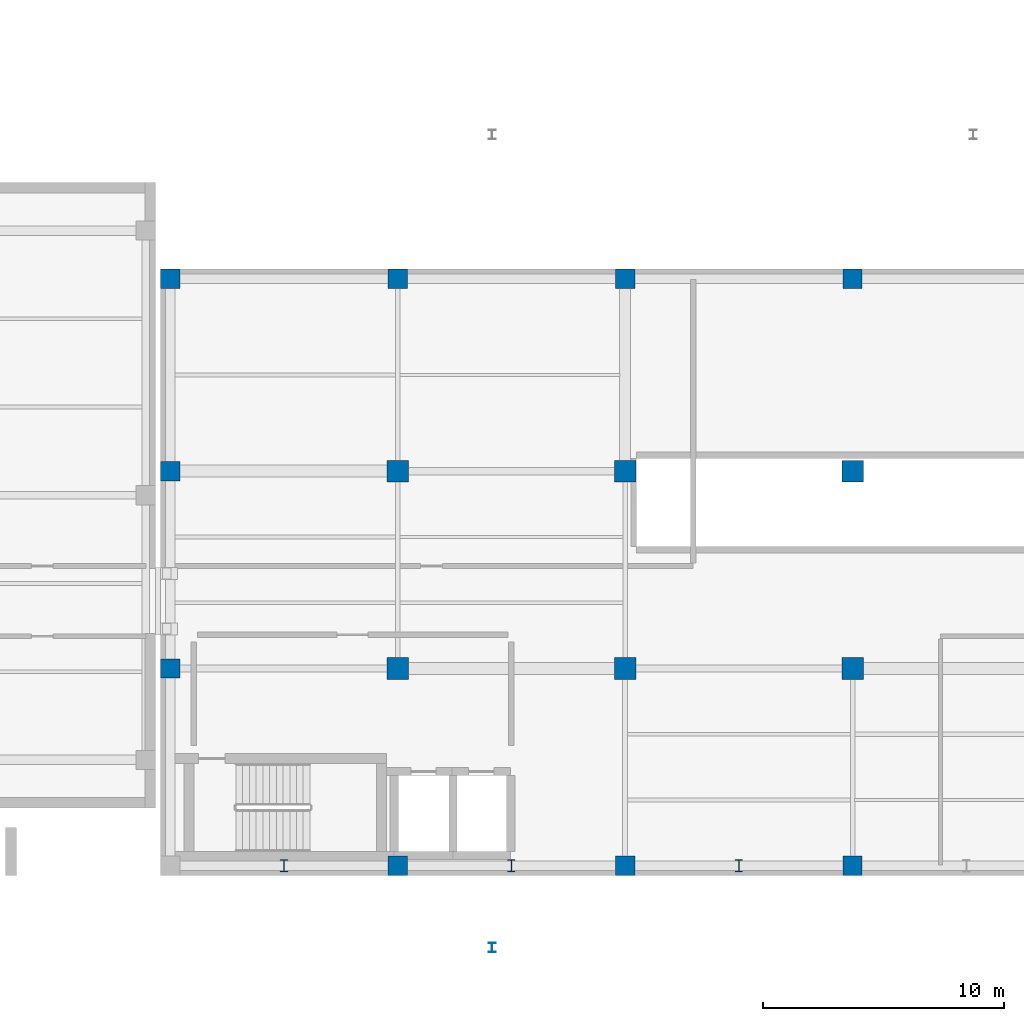
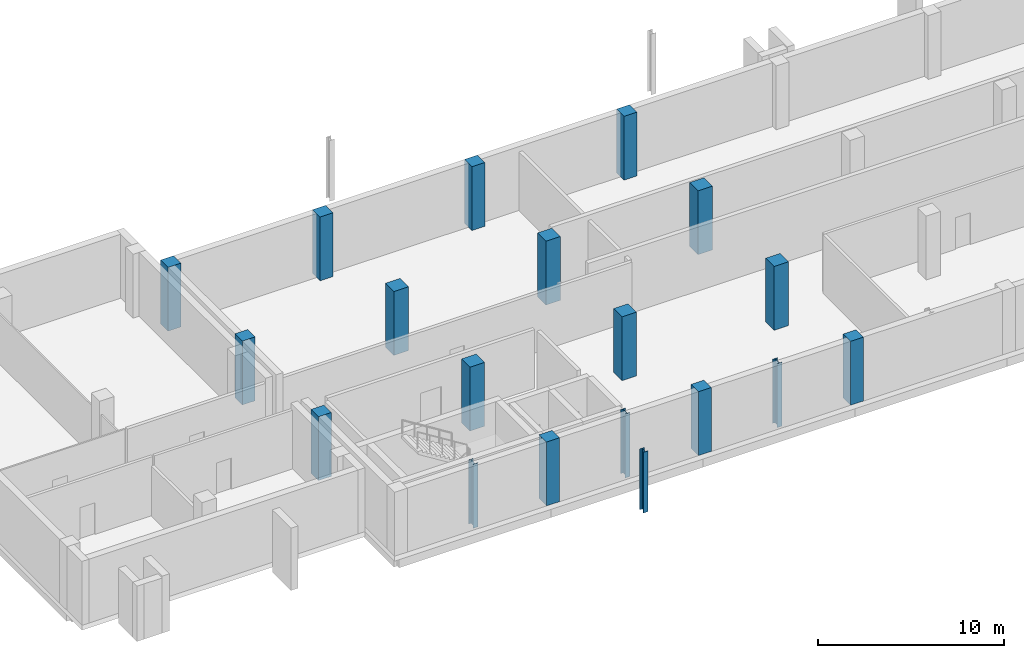
# One storey, part 2 of 31: 19 columns.
"""IFC4 building model written with IfcOpenShell, lengths in metres."""

from ifc_helpers import new_model, si_unit, direction, frame, origin, origin_2d, place, context, subcontext, project, spatial, rectangle, i_section, extrude, material, material_profile, profile_set, type_object, element, save


model = new_model("IFC4")

# Units and contexts
model_context = context("Model", 3, precision=1e-05, world=origin(), true_north=direction((0.0, 1.0)))
body_context = subcontext(model_context, "Body", "Model", "MODEL_VIEW")
ifc_project = project(units=[si_unit("LENGTHUNIT", "METRE"), si_unit("AREAUNIT", "SQUARE_METRE"), si_unit("VOLUMEUNIT", "CUBIC_METRE"), si_unit("PLANEANGLEUNIT", "RADIAN"), si_unit("MASSUNIT", "GRAM", prefix="KILO")], contexts=[model_context])

# Site, building, storey
site_placement = place(None, origin())
site = spatial("IfcSite", under=ifc_project, at=site_placement, CompositionType="ELEMENT")
building_placement = place(site_placement, origin())
building = spatial("IfcBuilding", under=site, at=building_placement, Name="Qalavern Law Courts", CompositionType="ELEMENT")
storey_placement = place(building_placement, frame((0.0, 0.0, -4.199951171875)))
storey = spatial("IfcBuildingStorey", under=building, at=storey_placement, Name="B1", CompositionType="ELEMENT", Elevation=-4.199951171875)

# Columns
ifc_material_1 = material(Name="Steel S355", Category="steel")
ifc_material_profile_1 = material_profile(ifc_material_1, i_section(OverallWidth=0.300048828125, OverallDepth=0.389892578125, WebThickness=0.010986328125, FlangeThickness=0.01904296875, FilletRadius=0.027099609375, at=origin_2d()), Name="HEA 400")
ifc_profile_set_1 = profile_set([ifc_material_profile_1], Name="Steel S355")
column_type_1 = type_object("IfcColumnType", Name="STR-COL-HEA400", PredefinedType="COLUMN", material=ifc_profile_set_1)
column_placement = place(storey_placement, frame((48.0, 2.199951171875, 0.0), z_axis=(0.0, 0.0, 1.0), x_axis=(1.0, 0.0, 0.0)))
element("IfcColumn", 1, at=column_placement, inside=storey, type_object=column_type_1, Name="Plaza apron substructure column 04 B1", PredefinedType="COLUMN", context=body_context, shape_type="SweptSolid", body=[
    extrude(i_section(OverallWidth=0.300048828125, OverallDepth=0.389892578125, WebThickness=0.010986328125, FlangeThickness=0.01904296875, FilletRadius=0.027099609375, at=origin_2d()), origin(), (0.0, 0.0, 1.0), 3.994873046875),
])
ifc_material_profile_2 = material_profile(ifc_material_1, i_section(OverallWidth=0.300048828125, OverallDepth=0.5, WebThickness=0.014404296875, FlangeThickness=0.028076171875, FilletRadius=0.027099609375, at=origin_2d()), Name="HEB 500")
ifc_profile_set_2 = profile_set([ifc_material_profile_2], Name="Steel S355")
column_type_2 = type_object("IfcColumnType", Name="STR-COL-HEB500", PredefinedType="COLUMN", material=ifc_profile_set_2)
for number, where, z_axis, x_axis, name in (
    (2, (39.346923828125, 5.60009765625, 0.0), (0.0, 0.0, 1.0), (1.0, 0.0, 0.0), "Civic colonnade pilaster 01 B1"),
    (3, (48.801025390625, 5.60009765625, 0.0), (0.0, 0.0, 1.0), (1.0, 0.0, 0.0), "Civic colonnade pilaster 02 B1"),
    (4, (58.256103515625, 5.60009765625, 0.0), (0.0, 0.0, 1.0), (1.0, 0.0, 0.0), "Civic colonnade pilaster 03 B1"),
):
    element("IfcColumn", number, at=place(storey_placement, frame(where, z_axis=z_axis, x_axis=x_axis)), inside=storey, type_object=column_type_2, Name=name, PredefinedType="COLUMN", context=body_context, shape_type="SweptSolid", body=[
        extrude(i_section(OverallWidth=0.300048828125, OverallDepth=0.5, WebThickness=0.014404296875, FlangeThickness=0.028076171875, FilletRadius=0.027099609375, at=origin_2d()), origin(), (0.0, 0.0, 1.0), 4.199951171875),
    ])
ifc_material_2 = material(Name="Concrete C45/55", Category="concrete")
ifc_material_profile_3 = material_profile(ifc_material_2, rectangle(XDim=0.800048828125, YDim=0.800048828125, at=origin_2d()), Name="RC 800x800")
ifc_profile_set_3 = profile_set([ifc_material_profile_3], Name="Concrete C45/55")
column_type_3 = type_object("IfcColumnType", Name="STR-COL-RC800E", PredefinedType="COLUMN", material=ifc_profile_set_3)
for number, where, z_axis, x_axis, name in (
    (5, (34.6201171875, 13.800048828125, 0.0), (0.0, 0.0, 1.0), (1.0, 0.0, 0.0), "V2 column 1-2 B1"),
    (6, (34.6201171875, 22.0, 0.0), (0.0, 0.0, 1.0), (1.0, 0.0, 0.0), "V2 column 1-3 B1"),
    (7, (34.6201171875, 30.0, 0.0), (0.0, 0.0, 1.0), (1.0, 0.0, 0.0), "V2 column 1-4 B1"),
    (8, (44.07421875, 5.60009765625, 0.0), (0.0, 0.0, 1.0), (1.0, 0.0, 0.0), "V2 column 2-1 B1"),
    (9, (44.07421875, 30.0, 0.0), (0.0, 0.0, 1.0), (1.0, 0.0, 0.0), "V2 column 2-4 B1"),
    (10, (53.528564453125, 5.60009765625, 0.0), (0.0, 0.0, 1.0), (1.0, 0.0, 0.0), "V2 column 3-1 B1"),
    (11, (53.528564453125, 30.0, 0.0), (0.0, 0.0, 1.0), (1.0, 0.0, 0.0), "V2 column 3-4 B1"),
    (12, (62.98291015625, 5.60009765625, 0.0), (0.0, 0.0, 1.0), (1.0, 0.0, 0.0), "V2 column 4-1 B1"),
    (13, (62.98291015625, 30.0, 0.0), (0.0, 0.0, 1.0), (1.0, 0.0, 0.0), "V2 column 4-4 B1"),
):
    element("IfcColumn", number, at=place(storey_placement, frame(where, z_axis=z_axis, x_axis=x_axis)), inside=storey, type_object=column_type_3, Name=name, PredefinedType="COLUMN", context=body_context, shape_type="SweptSolid", body=[
        extrude(rectangle(XDim=0.800048828125, YDim=0.800048828125, at=origin_2d()), origin(), (0.0, 0.0, 1.0), 4.199951171875),
    ])
ifc_material_profile_4 = material_profile(ifc_material_2, rectangle(XDim=0.89990234375, YDim=0.89990234375, at=origin_2d()), Name="RC 900x900")
ifc_profile_set_4 = profile_set([ifc_material_profile_4], Name="Concrete C45/55")
column_type_4 = type_object("IfcColumnType", Name="STR-COL-RC900", PredefinedType="COLUMN", material=ifc_profile_set_4)
for number, where, z_axis, x_axis, name in (
    (14, (44.07421875, 13.800048828125, 0.0), (0.0, 0.0, 1.0), (1.0, 0.0, 0.0), "V2 column 2-2 B1"),
    (15, (44.07421875, 22.0, 0.0), (0.0, 0.0, 1.0), (1.0, 0.0, 0.0), "V2 column 2-3 B1"),
    (16, (53.528564453125, 13.800048828125, 0.0), (0.0, 0.0, 1.0), (1.0, 0.0, 0.0), "V2 column 3-2 B1"),
    (17, (53.528564453125, 22.0, 0.0), (0.0, 0.0, 1.0), (1.0, 0.0, 0.0), "V2 column 3-3 B1"),
    (18, (62.98291015625, 13.800048828125, 0.0), (0.0, 0.0, 1.0), (1.0, 0.0, 0.0), "V2 column 4-2 B1"),
    (19, (62.98291015625, 22.0, 0.0), (0.0, 0.0, 1.0), (1.0, 0.0, 0.0), "V2 column 4-3 B1"),
):
    element("IfcColumn", number, at=place(storey_placement, frame(where, z_axis=z_axis, x_axis=x_axis)), inside=storey, type_object=column_type_4, Name=name, PredefinedType="COLUMN", context=body_context, shape_type="SweptSolid", body=[
        extrude(rectangle(XDim=0.89990234375, YDim=0.89990234375, at=origin_2d()), origin(), (0.0, 0.0, 1.0), 4.199951171875),
    ])

save(model, "model.ifc")
